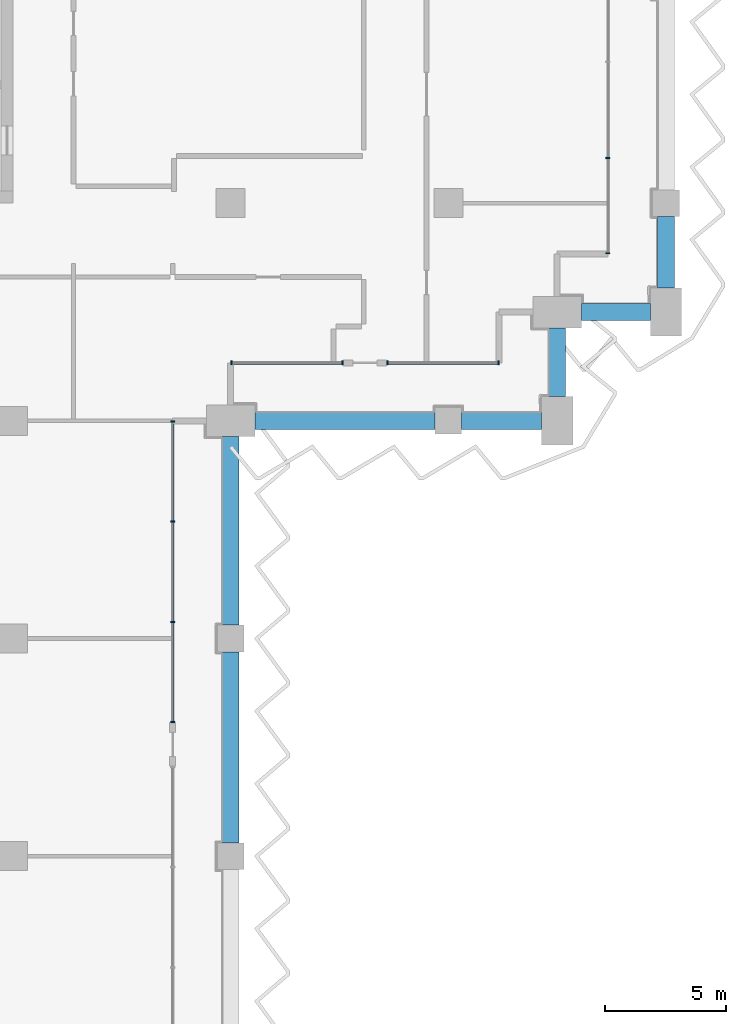
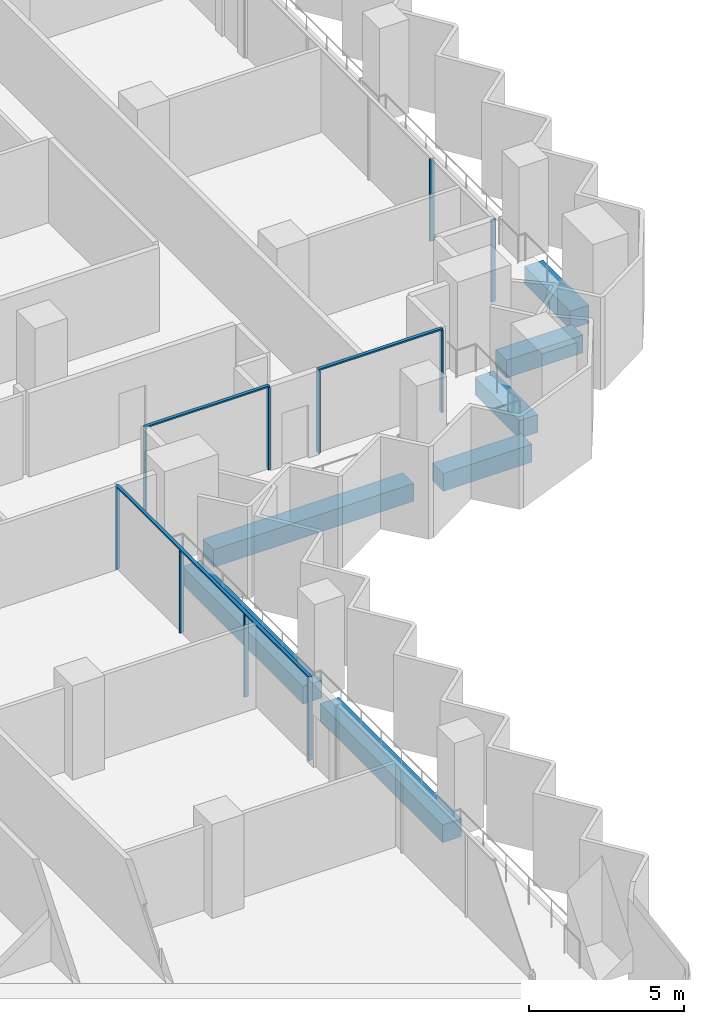
# One storey, part 4 of 22: 13 members, 7 beams, 4 elements without a shape of their own.
"""IFC4 building model written with IfcOpenShell, lengths in metres."""

from ifc_helpers import new_model, si_unit, direction, frame, origin, origin_2d, place, context, subcontext, project, spatial, rectangle, extrude, material, material_profile, profile_set, type_object, element, aggregate, save


model = new_model("IFC4")

# Units and contexts
model_context = context("Model", 3, precision=1e-05, world=origin(), true_north=direction((0.0, 1.0)))
body_context = subcontext(model_context, "Body", "Model", "MODEL_VIEW")
ifc_project = project(units=[si_unit("LENGTHUNIT", "METRE"), si_unit("AREAUNIT", "SQUARE_METRE"), si_unit("VOLUMEUNIT", "CUBIC_METRE"), si_unit("PLANEANGLEUNIT", "RADIAN"), si_unit("MASSUNIT", "GRAM", prefix="KILO")], contexts=[model_context])

# Site, building, storey
site_placement = place(None, origin())
site = spatial("IfcSite", under=ifc_project, at=site_placement, CompositionType="ELEMENT")
building_placement = place(site_placement, origin())
building = spatial("IfcBuilding", under=site, at=building_placement, Name="Hunhe Ridgeline Campus", CompositionType="ELEMENT")
storey_placement = place(building_placement, frame((0.0, 0.0, 156.0)))
storey = spatial("IfcBuildingStorey", under=building, at=storey_placement, Name="L39", CompositionType="ELEMENT", Elevation=156.0)

# Curtain wall, members
ifc_material_1 = material(Name="Aluminium 6063", Category="aluminium")
curtain_wall_type = type_object("IfcCurtainWallType", Name="Curtain wall CW-1", PredefinedType="NOTDEFINED", material=ifc_material_1)
curtain_wall_1_placement = place(storey_placement, origin())
curtain_wall_1 = element("IfcCurtainWall", 1, at=curtain_wall_1_placement, inside=storey, type_object=curtain_wall_type, Name="Curtain wall 12", PredefinedType="NOTDEFINED")
ifc_material_profile_1 = material_profile(ifc_material_1, rectangle(XDim=0.159912109375, YDim=0.06005859375, at=origin_2d()))
ifc_profile_set_1 = profile_set([ifc_material_profile_1], Name="Aluminium 6063")
member_type_1 = type_object("IfcMemberType", Name="CW-1 aluminium mullion", PredefinedType="MULLION", material=ifc_profile_set_1)
member_1_placement = place(storey_placement, frame((42.59912109375, 41.548583984375, 0.0), z_axis=(0.0, 0.0, 1.0), x_axis=(-0.99999999999, 4.406345e-06, 0.0)))
member_1 = element("IfcMember", 2, at=member_1_placement, type_object=member_type_1, Name="CW-1 mullion 1", PredefinedType="MULLION", context=body_context, shape_type="SweptSolid", body=[
    extrude(rectangle(XDim=0.159912109375, YDim=0.06005859375, at=origin_2d()), origin(), (0.0, 0.0, 1.0), 3.239990234375),
])
member_2_placement = place(storey_placement, frame((42.59912109375, 45.67919921875, 0.0), z_axis=(0.0, 0.0, 1.0), x_axis=(-0.99999999999, 4.406345e-06, 0.0)))
member_2 = element("IfcMember", 3, at=member_2_placement, type_object=member_type_1, Name="CW-1 mullion 2", PredefinedType="MULLION", context=body_context, shape_type="SweptSolid", body=[
    extrude(rectangle(XDim=0.159912109375, YDim=0.06005859375, at=origin_2d()), origin(), (0.0, 0.0, 1.0), 3.239990234375),
])
member_3_placement = place(storey_placement, frame((42.59912109375, 49.83984375, 0.0), z_axis=(0.0, 0.0, 1.0), x_axis=(-0.99999999999, 4.406345e-06, 0.0)))
member_3 = element("IfcMember", 4, at=member_3_placement, type_object=member_type_1, Name="CW-1 mullion 3", PredefinedType="MULLION", context=body_context, shape_type="SweptSolid", body=[
    extrude(rectangle(XDim=0.159912109375, YDim=0.06005859375, at=origin_2d()), origin(), (0.0, 0.0, 1.0), 3.239990234375),
])
member_4_placement = place(storey_placement, frame((42.59912109375, 53.970458984375, 0.0), z_axis=(0.0, 0.0, 1.0), x_axis=(-0.99999999999, 4.406345e-06, 0.0)))
member_4 = element("IfcMember", 5, at=member_4_placement, type_object=member_type_1, Name="CW-1 mullion 4", PredefinedType="MULLION", context=body_context, shape_type="SweptSolid", body=[
    extrude(rectangle(XDim=0.159912109375, YDim=0.06005859375, at=origin_2d()), origin(), (0.0, 0.0, 1.0), 3.239990234375),
])

curtain_wall_2_placement = place(storey_placement, origin())
curtain_wall_2 = element("IfcCurtainWall", 6, at=curtain_wall_2_placement, inside=storey, type_object=curtain_wall_type, Name="Curtain wall 13", PredefinedType="NOTDEFINED")
member_5_placement = place(storey_placement, frame((45.02978515625, 56.40087890625, 0.0), z_axis=(0.0, 0.0, 1.0), x_axis=(-1.72058e-06, 0.999999999999, 0.0)))
member_5 = element("IfcMember", 7, at=member_5_placement, type_object=member_type_1, Name="CW-1 mullion 1", PredefinedType="MULLION", context=body_context, shape_type="SweptSolid", body=[
    extrude(rectangle(XDim=0.159912109375, YDim=0.06005859375, at=origin_2d()), origin(), (0.0, 0.0, 1.0), 3.239990234375),
])
member_6_placement = place(storey_placement, frame((49.619384765625, 56.40087890625, 0.0), z_axis=(0.0, 0.0, 1.0), x_axis=(-1.72058e-06, 0.999999999999, 0.0)))
member_6 = element("IfcMember", 8, at=member_6_placement, type_object=member_type_1, Name="CW-1 mullion 2", PredefinedType="MULLION", context=body_context, shape_type="SweptSolid", body=[
    extrude(rectangle(XDim=0.159912109375, YDim=0.06005859375, at=origin_2d()), origin(), (0.0, 0.0, 1.0), 3.239990234375),
])

curtain_wall_3_placement = place(storey_placement, origin())
curtain_wall_3 = element("IfcCurtainWall", 9, at=curtain_wall_3_placement, inside=storey, type_object=curtain_wall_type, Name="Curtain wall 14", PredefinedType="NOTDEFINED")
member_7_placement = place(storey_placement, frame((51.4794921875, 56.40087890625, 0.0), z_axis=(0.0, 0.0, 1.0), x_axis=(-1.72058e-06, 0.999999999999, 0.0)))
member_7 = element("IfcMember", 10, at=member_7_placement, type_object=member_type_1, Name="CW-1 mullion 1", PredefinedType="MULLION", context=body_context, shape_type="SweptSolid", body=[
    extrude(rectangle(XDim=0.159912109375, YDim=0.06005859375, at=origin_2d()), origin(), (0.0, 0.0, 1.0), 3.239990234375),
])
member_8_placement = place(storey_placement, frame((56.069091796875, 56.40087890625, 0.0), z_axis=(0.0, 0.0, 1.0), x_axis=(-1.72058e-06, 0.999999999999, 0.0)))
member_8 = element("IfcMember", 11, at=member_8_placement, type_object=member_type_1, Name="CW-1 mullion 2", PredefinedType="MULLION", context=body_context, shape_type="SweptSolid", body=[
    extrude(rectangle(XDim=0.159912109375, YDim=0.06005859375, at=origin_2d()), origin(), (0.0, 0.0, 1.0), 3.239990234375),
])

curtain_wall_4_placement = place(storey_placement, origin())
curtain_wall_4 = element("IfcCurtainWall", 12, at=curtain_wall_4_placement, inside=storey, type_object=curtain_wall_type, Name="Curtain wall 15", PredefinedType="NOTDEFINED")
member_9_placement = place(storey_placement, frame((60.59912109375, 60.930908203125, 0.0), z_axis=(0.0, 0.0, 1.0), x_axis=(-1.0, 0.0, 0.0)))
member_9 = element("IfcMember", 13, at=member_9_placement, type_object=member_type_1, Name="CW-1 mullion 1", PredefinedType="MULLION", context=body_context, shape_type="SweptSolid", body=[
    extrude(rectangle(XDim=0.159912109375, YDim=0.06005859375, at=origin_2d()), origin(), (0.0, 0.0, 1.0), 3.239990234375),
])
member_10_placement = place(storey_placement, frame((60.59912109375, 64.8759765625, 0.0), z_axis=(0.0, 0.0, 1.0), x_axis=(-1.0, 0.0, 0.0)))
member_10 = element("IfcMember", 14, at=member_10_placement, type_object=member_type_1, Name="CW-1 mullion 2", PredefinedType="MULLION", context=body_context, shape_type="SweptSolid", body=[
    extrude(rectangle(XDim=0.159912109375, YDim=0.06005859375, at=origin_2d()), origin(), (0.0, 0.0, 1.0), 3.239990234375),
])
aggregate(curtain_wall_4, [member_9, member_10])

# Member
ifc_material_profile_2 = material_profile(ifc_material_1, rectangle(XDim=0.1201171875, YDim=0.06005859375, at=origin_2d()))
ifc_profile_set_2 = profile_set([ifc_material_profile_2], Name="Aluminium 6063")
member_type_2 = type_object("IfcMemberType", Name="CW-1 aluminium transom", PredefinedType="USERDEFINED", material=ifc_profile_set_2)
member_11_placement = place(storey_placement, frame((42.59912109375, 41.5185546875, 3.27001953125), z_axis=(0.0, 1.0, 0.0), x_axis=(-1.0, 0.0, 0.0)))
member_11 = element("IfcMember", 15, at=member_11_placement, type_object=member_type_2, Name="CW-1 transom 1", ObjectType="TRANSOM", PredefinedType="USERDEFINED", context=body_context, shape_type="SweptSolid", body=[
    extrude(rectangle(XDim=0.1201171875, YDim=0.06005859375, at=origin_2d()), origin(), (0.0, 0.0, 1.0), 12.48193359375),
])

aggregate(curtain_wall_1, [member_11, member_1, member_2, member_3, member_4])

member_12_placement = place(storey_placement, frame((44.999755859375, 56.40087890625, 3.27001953125), z_axis=(1.0, 0.0, 0.0), x_axis=(0.0, 1.0, 0.0)))
member_12 = element("IfcMember", 16, at=member_12_placement, type_object=member_type_2, Name="CW-1 transom 1", ObjectType="TRANSOM", PredefinedType="USERDEFINED", context=body_context, shape_type="SweptSolid", body=[
    extrude(rectangle(XDim=0.1201171875, YDim=0.06005859375, at=origin_2d()), origin(), (0.0, 0.0, 1.0), 4.649658203125),
])

aggregate(curtain_wall_2, [member_12, member_5, member_6])

member_13_placement = place(storey_placement, frame((51.449462890625, 56.40087890625, 3.27001953125), z_axis=(1.0, 0.0, 0.0), x_axis=(0.0, 1.0, 0.0)))
member_13 = element("IfcMember", 17, at=member_13_placement, type_object=member_type_2, Name="CW-1 transom 1", ObjectType="TRANSOM", PredefinedType="USERDEFINED", context=body_context, shape_type="SweptSolid", body=[
    extrude(rectangle(XDim=0.1201171875, YDim=0.06005859375, at=origin_2d()), origin(), (0.0, 0.0, 1.0), 4.649658203125),
])

aggregate(curtain_wall_3, [member_13, member_7, member_8])

# Beams
ifc_material_2 = material(Name="Concrete C60", Category="concrete")
ifc_material_profile_3 = material_profile(ifc_material_2, rectangle(XDim=0.699951171875, YDim=0.699951171875, at=origin_2d()))
ifc_profile_set_3 = profile_set([ifc_material_profile_3], Name="Concrete C60")
beam_type = type_object("IfcBeamType", Name="RC spandrel beam 700x700 Concrete C60", PredefinedType="SPANDREL", material=ifc_profile_set_3)
beam_1_placement = place(storey_placement, frame((45.0, 36.550048828125, -0.60009765625), z_axis=(0.0, 1.0, 0.0), x_axis=(-1.0, 0.0, 0.0)))
element("IfcBeam", 18, at=beam_1_placement, inside=storey, type_object=beam_type, Name="Spandrel beam B2-10 L39", PredefinedType="SPANDREL", context=body_context, shape_type="SweptSolid", body=[
    extrude(rectangle(XDim=0.699951171875, YDim=0.699951171875, at=origin_2d()), origin(), (0.0, 0.0, 1.0), 7.89990234375),
])
beam_2_placement = place(storey_placement, frame((45.0, 45.550048828125, -0.60009765625), z_axis=(0.0, 1.0, 0.0), x_axis=(-1.0, 0.0, 0.0)))
element("IfcBeam", 19, at=beam_2_placement, inside=storey, type_object=beam_type, Name="Spandrel beam B2-11 L39", PredefinedType="SPANDREL", context=body_context, shape_type="SweptSolid", body=[
    extrude(rectangle(XDim=0.699951171875, YDim=0.699951171875, at=origin_2d()), origin(), (0.0, 0.0, 1.0), 7.800048828125),
])
beam_3_placement = place(storey_placement, frame((46.0, 54.0, -0.60009765625), z_axis=(1.0, 0.0, 0.0), x_axis=(0.0, 1.0, 0.0)))
element("IfcBeam", 20, at=beam_3_placement, inside=storey, type_object=beam_type, Name="Spandrel beam B2-12 L39", PredefinedType="SPANDREL", context=body_context, shape_type="SweptSolid", body=[
    extrude(rectangle(XDim=0.699951171875, YDim=0.699951171875, at=origin_2d()), origin(), (0.0, 0.0, 1.0), 7.449951171875),
])
beam_4_placement = place(storey_placement, frame((54.550048828125, 54.0, -0.60009765625), z_axis=(1.0, 0.0, 0.0), x_axis=(0.0, 1.0, 0.0)))
element("IfcBeam", 21, at=beam_4_placement, inside=storey, type_object=beam_type, Name="Spandrel beam B2-13 L39", PredefinedType="SPANDREL", context=body_context, shape_type="SweptSolid", body=[
    extrude(rectangle(XDim=0.699951171875, YDim=0.699951171875, at=origin_2d()), origin(), (0.0, 0.0, 1.0), 3.300048828125),
])
for number, where, z_axis, x_axis, name in (
    (22, (58.5, 55.0, -0.60009765625), (0.0, 1.0, 0.0), (-1.0, 0.0, 0.0), "Spandrel beam B2-14 L39"),
    (23, (59.5, 58.5, -0.60009765625), (1.0, 0.0, 0.0), (0.0, 1.0, 0.0), "Spandrel beam B2-15 L39"),
):
    element("IfcBeam", number, at=place(storey_placement, frame(where, z_axis=z_axis, x_axis=x_axis)), inside=storey, type_object=beam_type, Name=name, PredefinedType="SPANDREL", context=body_context, shape_type="SweptSolid", body=[
        extrude(rectangle(XDim=0.699951171875, YDim=0.699951171875, at=origin_2d()), origin(), (0.0, 0.0, 1.0), 2.85009765625),
    ])
beam_5_placement = place(storey_placement, frame((63.0, 59.5, -0.60009765625), z_axis=(0.0, 1.0, 0.0), x_axis=(-1.0, 0.0, 0.0)))
element("IfcBeam", 24, at=beam_5_placement, inside=storey, type_object=beam_type, Name="Spandrel beam B2-16 L39", PredefinedType="SPANDREL", context=body_context, shape_type="SweptSolid", body=[
    extrude(rectangle(XDim=0.699951171875, YDim=0.699951171875, at=origin_2d()), origin(), (0.0, 0.0, 1.0), 2.949951171875),
])

save(model, "model.ifc")
